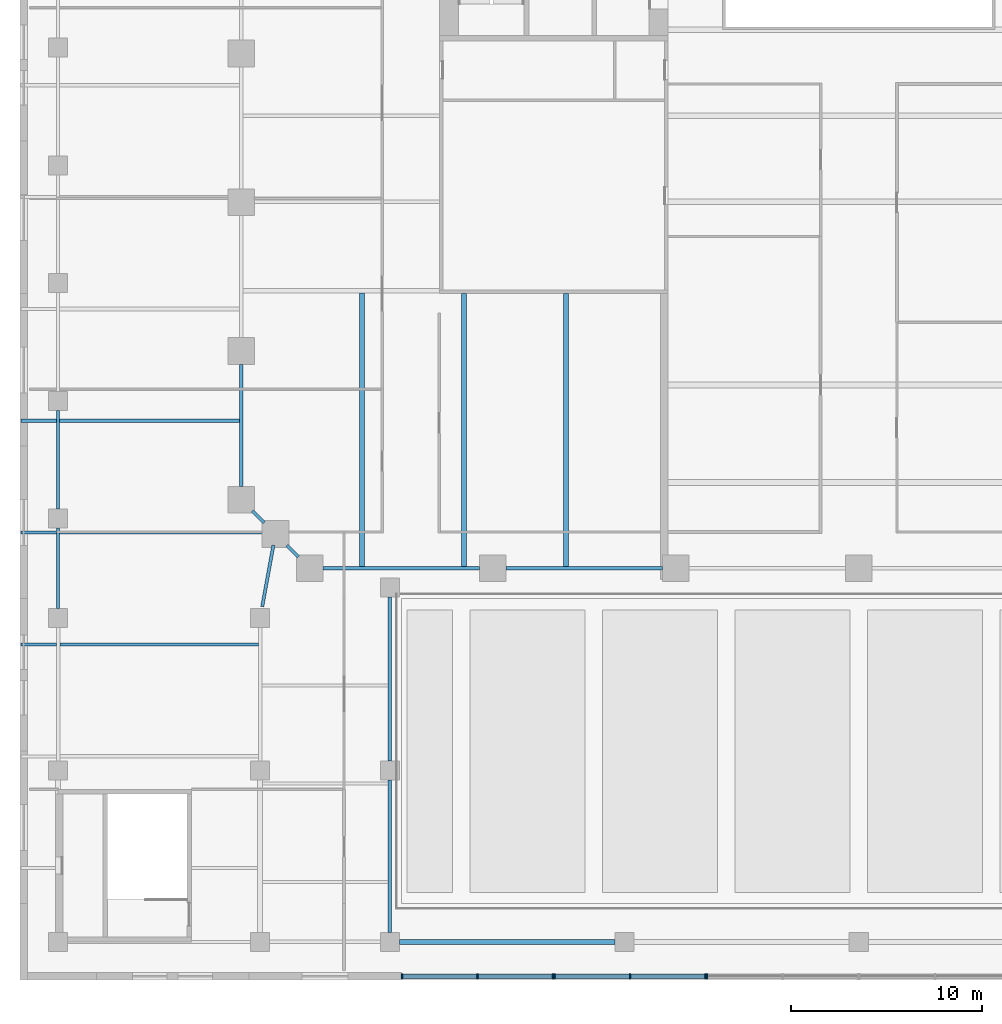
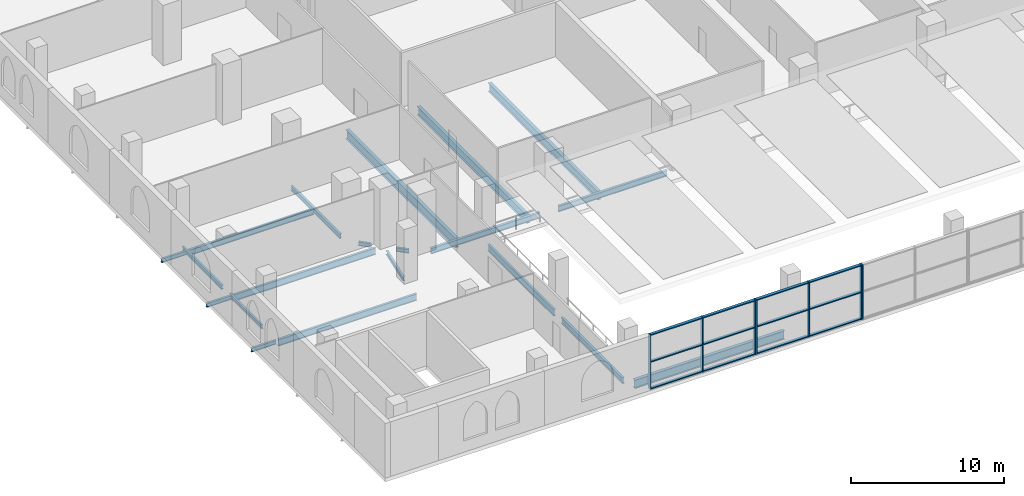
# One storey, part 2 of 18: 20 beams, 19 members, 3 elements without a shape of their own.
"""IFC4 building model written with IfcOpenShell, lengths in metres."""

from ifc_helpers import new_model, si_unit, direction, frame, origin, origin_2d, place, context, subcontext, project, spatial, rectangle, i_section, extrude, material, material_profile, profile_set, type_object, element, aggregate, save


model = new_model("IFC4")

# Units and contexts
model_context = context("Model", 3, precision=1e-05, world=origin(), true_north=direction((0.0, 1.0)))
body_context = subcontext(model_context, "Body", "Model", "MODEL_VIEW")
ifc_project = project(units=[si_unit("LENGTHUNIT", "METRE"), si_unit("AREAUNIT", "SQUARE_METRE"), si_unit("VOLUMEUNIT", "CUBIC_METRE"), si_unit("PLANEANGLEUNIT", "RADIAN"), si_unit("MASSUNIT", "GRAM", prefix="KILO")], contexts=[model_context])

# Site, building, storey
site_placement = place(None, origin())
site = spatial("IfcSite", under=ifc_project, at=site_placement, CompositionType="ELEMENT")
building_placement = place(site_placement, origin())
building = spatial("IfcBuilding", under=site, at=building_placement, Name="Ogive Exchange Tower", CompositionType="ELEMENT")
storey_placement = place(building_placement, frame((0.0, 0.0, 28.800048828125)))
storey = spatial("IfcBuildingStorey", under=building, at=storey_placement, Name="L05", CompositionType="ELEMENT", Elevation=28.800048828125)

# Beams
ifc_material_1 = material(Name="Steel ASTM A992 Gr50", Category="steel")
ifc_material_profile_1 = material_profile(ifc_material_1, i_section(OverallWidth=0.1650390625, OverallDepth=0.31005859375, WebThickness=0.005859375, FlangeThickness=0.009765625, at=origin_2d()), Name="W310x38.7")
ifc_profile_set_1 = profile_set([ifc_material_profile_1], Name="Steel ASTM A992 Gr50")
beam_type_1 = type_object("IfcBeamType", Name="Floor beam W310x38.7", PredefinedType="JOIST", material=ifc_profile_set_1)
beam_1_placement = place(storey_placement, frame((-43.949951171875, -34.39990234375, -0.455078125), z_axis=(1.0, 0.0, 0.0), x_axis=(0.0, 1.0, 0.0)))
element("IfcBeam", 1, at=beam_1_placement, inside=storey, type_object=beam_type_1, Name="Floor beam", PredefinedType="JOIST", context=body_context, shape_type="SweptSolid", body=[
    extrude(i_section(OverallWidth=0.1650390625, OverallDepth=0.31005859375, WebThickness=0.005859375, FlangeThickness=0.009765625, at=origin_2d()), origin(), (0.0, 0.0, 1.0), 1.86083984375),
])
for number, where, z_axis, x_axis, name in (
    (2, (-43.949951171875, -28.533203125, -0.455078125), (1.0, 0.0, 0.0), (0.0, 1.0, 0.0), "Floor beam"),
    (3, (-43.949951171875, -22.666748046875, -0.455078125), (1.0, 0.0, 0.0), (0.0, 1.0, 0.0), "Floor beam"),
):
    element("IfcBeam", number, at=place(storey_placement, frame(where, z_axis=z_axis, x_axis=x_axis)), inside=storey, type_object=beam_type_1, Name=name, PredefinedType="JOIST", context=body_context, shape_type="SweptSolid", body=[
        extrude(i_section(OverallWidth=0.1650390625, OverallDepth=0.31005859375, WebThickness=0.005859375, FlangeThickness=0.009765625, at=origin_2d()), origin(), (0.0, 0.0, 1.0), 1.867431640625),
    ])
ifc_material_profile_2 = material_profile(ifc_material_1, i_section(OverallWidth=0.19091796875, OverallDepth=0.45703125, WebThickness=0.009033203125, FlangeThickness=0.014404296875, at=origin_2d()), Name="W460x74")
ifc_profile_set_2 = profile_set([ifc_material_profile_2], Name="Steel ASTM A992 Gr50")
beam_type_2 = type_object("IfcBeamType", Name="Floor beam W460x74", PredefinedType="JOIST", material=ifc_profile_set_2)
beam_2_placement = place(storey_placement, frame((-41.91748046875, -22.666748046875, -0.528564453125), z_axis=(1.0, 0.0, 0.0), x_axis=(0.0, 1.0, 0.0)))
element("IfcBeam", 4, at=beam_2_placement, inside=storey, type_object=beam_type_2, Name="Floor beam", PredefinedType="JOIST", context=body_context, shape_type="SweptSolid", body=[
    extrude(i_section(OverallWidth=0.19091796875, OverallDepth=0.45703125, WebThickness=0.009033203125, FlangeThickness=0.014404296875, at=origin_2d()), origin(), (0.0, 0.0, 1.0), 9.431884765625),
])
ifc_material_profile_3 = material_profile(ifc_material_1, i_section(OverallWidth=0.1669921875, OverallDepth=0.535888671875, WebThickness=0.01025390625, FlangeThickness=0.0166015625, at=origin_2d()), Name="W530x85")
ifc_profile_set_3 = profile_set([ifc_material_profile_3], Name="Steel ASTM A992 Gr50")
beam_type_3 = type_object("IfcBeamType", Name="Floor beam W530x85", PredefinedType="JOIST", material=ifc_profile_set_3)
beam_3_placement = place(storey_placement, frame((-41.910888671875, -34.39990234375, -0.568115234375), z_axis=(1.0, 0.0, 0.0), x_axis=(0.0, 1.0, 0.0)))
element("IfcBeam", 5, at=beam_3_placement, inside=storey, type_object=beam_type_3, Name="Floor beam", PredefinedType="JOIST", context=body_context, shape_type="SweptSolid", body=[
    extrude(i_section(OverallWidth=0.1669921875, OverallDepth=0.535888671875, WebThickness=0.01025390625, FlangeThickness=0.0166015625, at=origin_2d()), origin(), (0.0, 0.0, 1.0), 10.421875),
])
beam_4_placement = place(storey_placement, frame((-41.91748046875, -28.533203125, -0.568115234375), z_axis=(1.0, 0.0, 0.0), x_axis=(0.0, 1.0, 0.0)))
element("IfcBeam", 6, at=beam_4_placement, inside=storey, type_object=beam_type_3, Name="Floor beam", PredefinedType="JOIST", context=body_context, shape_type="SweptSolid", body=[
    extrude(i_section(OverallWidth=0.1669921875, OverallDepth=0.535888671875, WebThickness=0.01025390625, FlangeThickness=0.0166015625, at=origin_2d()), origin(), (0.0, 0.0, 1.0), 10.717529296875),
])
ifc_material_profile_4 = material_profile(ifc_material_1, i_section(OverallWidth=0.25390625, OverallDepth=0.68310546875, WebThickness=0.012451171875, FlangeThickness=0.018798828125, at=origin_2d()), Name="W690x140")
ifc_profile_set_4 = profile_set([ifc_material_profile_4], Name="Steel ASTM A992 Gr50")
beam_type_4 = type_object("IfcBeamType", Name="Floor beam W690x140", PredefinedType="JOIST", material=ifc_profile_set_4)
for number, where, z_axis, x_axis, name in (
    (7, (-20.699951171875, -30.304443359375, -0.6416015625), (0.0, 1.0, 0.0), (-1.0, 0.0, 0.0), "Floor beam"),
    (8, (-15.35009765625, -30.304443359375, -0.6416015625), (0.0, 1.0, 0.0), (-1.0, 0.0, 0.0), "Floor beam"),
):
    element("IfcBeam", number, at=place(storey_placement, frame(where, z_axis=z_axis, x_axis=x_axis)), inside=storey, type_object=beam_type_4, Name=name, PredefinedType="JOIST", context=body_context, shape_type="SweptSolid", body=[
        extrude(i_section(OverallWidth=0.25390625, OverallDepth=0.68310546875, WebThickness=0.012451171875, FlangeThickness=0.018798828125, at=origin_2d()), origin(), (0.0, 0.0, 1.0), 14.304443359375),
    ])
ifc_material_profile_5 = material_profile(ifc_material_1, i_section(OverallWidth=0.26708984375, OverallDepth=0.75390625, WebThickness=0.01318359375, FlangeThickness=0.01708984375, at=origin_2d()), Name="W760x147")
ifc_profile_set_5 = profile_set([ifc_material_profile_5], Name="Steel ASTM A992 Gr50")
beam_type_5 = type_object("IfcBeamType", Name="Floor beam W760x147", PredefinedType="JOIST", material=ifc_profile_set_5)
beam_5_placement = place(storey_placement, frame((-26.050048828125, -30.304443359375, -0.677001953125), z_axis=(0.0, 1.0, 0.0), x_axis=(-1.0, 0.0, 0.0)))
element("IfcBeam", 9, at=beam_5_placement, inside=storey, type_object=beam_type_5, Name="Floor beam", PredefinedType="JOIST", context=body_context, shape_type="SweptSolid", body=[
    extrude(i_section(OverallWidth=0.26708984375, OverallDepth=0.75390625, WebThickness=0.01318359375, FlangeThickness=0.01708984375, at=origin_2d()), origin(), (0.0, 0.0, 1.0), 14.345458984375),
])

# Curtain wall, members
ifc_material_2 = material(Name="Anodised aluminium and clear glass", Category="aluminium")
curtain_wall_type = type_object("IfcCurtainWallType", Name="Galleria end wall glazing", PredefinedType="NOTDEFINED", material=ifc_material_2)
curtain_wall_1_placement = place(storey_placement, origin())
curtain_wall_1 = element("IfcCurtainWall", 10, at=curtain_wall_1_placement, inside=storey, type_object=curtain_wall_type, Name="Galleria end wall glazing run GE4", PredefinedType="NOTDEFINED")
ifc_material_3 = material(Name="Anodised aluminium", Category="aluminium")
ifc_material_profile_6 = material_profile(ifc_material_3, rectangle(XDim=0.260009765625, YDim=0.080078125, at=origin_2d()), Name="AL 80x260")
ifc_profile_set_6 = profile_set([ifc_material_profile_6], Name="Anodised aluminium")
member_type_1 = type_object("IfcMemberType", Name="Galleria end wall glazing mullion 80 x 260", PredefinedType="MULLION", material=ifc_profile_set_6)
member_1_placement = place(storey_placement, frame((-23.9599609375, -51.800048828125, 0.0), z_axis=(0.0, 0.0, 1.0), x_axis=(0.0, 1.0, 0.0)))
member_1 = element("IfcMember", 11, at=member_1_placement, type_object=member_type_1, Name="GE4 mullion 1", PredefinedType="MULLION", context=body_context, shape_type="SweptSolid", body=[
    extrude(rectangle(XDim=0.260009765625, YDim=0.080078125, at=origin_2d()), origin(), (0.0, 0.0, 1.0), 4.349853515625),
])
member_2_placement = place(storey_placement, frame((-20.0, -51.800048828125, 0.0), z_axis=(0.0, 0.0, 1.0), x_axis=(0.0, 1.0, 0.0)))
member_2 = element("IfcMember", 12, at=member_2_placement, type_object=member_type_1, Name="GE4 mullion 2", PredefinedType="MULLION", context=body_context, shape_type="SweptSolid", body=[
    extrude(rectangle(XDim=0.260009765625, YDim=0.080078125, at=origin_2d()), origin(), (0.0, 0.0, 1.0), 4.349853515625),
])
member_3_placement = place(storey_placement, frame((-16.0400390625, -51.800048828125, 0.0), z_axis=(0.0, 0.0, 1.0), x_axis=(0.0, 1.0, 0.0)))
member_3 = element("IfcMember", 13, at=member_3_placement, type_object=member_type_1, Name="GE4 mullion 3", PredefinedType="MULLION", context=body_context, shape_type="SweptSolid", body=[
    extrude(rectangle(XDim=0.260009765625, YDim=0.080078125, at=origin_2d()), origin(), (0.0, 0.0, 1.0), 4.349853515625),
])

curtain_wall_2_placement = place(storey_placement, origin())
curtain_wall_2 = element("IfcCurtainWall", 14, at=curtain_wall_2_placement, inside=storey, type_object=curtain_wall_type, Name="Galleria end wall glazing run GE5", PredefinedType="NOTDEFINED")
member_4_placement = place(storey_placement, frame((-15.9599609375, -51.800048828125, 0.0), z_axis=(0.0, 0.0, 1.0), x_axis=(0.0, 1.0, 0.0)))
member_4 = element("IfcMember", 15, at=member_4_placement, type_object=member_type_1, Name="GE5 mullion 1", PredefinedType="MULLION", context=body_context, shape_type="SweptSolid", body=[
    extrude(rectangle(XDim=0.260009765625, YDim=0.080078125, at=origin_2d()), origin(), (0.0, 0.0, 1.0), 4.349853515625),
])
member_5_placement = place(storey_placement, frame((-12.0, -51.800048828125, 0.0), z_axis=(0.0, 0.0, 1.0), x_axis=(0.0, 1.0, 0.0)))
member_5 = element("IfcMember", 16, at=member_5_placement, type_object=member_type_1, Name="GE5 mullion 2", PredefinedType="MULLION", context=body_context, shape_type="SweptSolid", body=[
    extrude(rectangle(XDim=0.260009765625, YDim=0.080078125, at=origin_2d()), origin(), (0.0, 0.0, 1.0), 4.349853515625),
])
member_6_placement = place(storey_placement, frame((-8.0400390625, -51.800048828125, 0.0), z_axis=(0.0, 0.0, 1.0), x_axis=(0.0, 1.0, 0.0)))
member_6 = element("IfcMember", 17, at=member_6_placement, type_object=member_type_1, Name="GE5 mullion 3", PredefinedType="MULLION", context=body_context, shape_type="SweptSolid", body=[
    extrude(rectangle(XDim=0.260009765625, YDim=0.080078125, at=origin_2d()), origin(), (0.0, 0.0, 1.0), 4.349853515625),
])

# Curtain wall, member
curtain_wall_3_placement = place(storey_placement, origin())
curtain_wall_3 = element("IfcCurtainWall", 18, at=curtain_wall_3_placement, inside=storey, type_object=curtain_wall_type, Name="Galleria end wall glazing run GE6", PredefinedType="NOTDEFINED")
member_7_placement = place(storey_placement, frame((-7.9599609375, -51.800048828125, 0.0), z_axis=(0.0, 0.0, 1.0), x_axis=(0.0, 1.0, 0.0)))
member_7 = element("IfcMember", 19, at=member_7_placement, type_object=member_type_1, Name="GE6 mullion 1", PredefinedType="MULLION", context=body_context, shape_type="SweptSolid", body=[
    extrude(rectangle(XDim=0.260009765625, YDim=0.080078125, at=origin_2d()), origin(), (0.0, 0.0, 1.0), 4.349853515625),
])
aggregate(curtain_wall_3, [member_7])

# Member
ifc_material_profile_7 = material_profile(ifc_material_3, rectangle(XDim=0.219970703125, YDim=0.080078125, at=origin_2d()), Name="AL 80x220")
ifc_profile_set_7 = profile_set([ifc_material_profile_7], Name="Anodised aluminium")
member_type_2 = type_object("IfcMemberType", Name="Galleria end wall glazing transom 80 x 220", PredefinedType="USERDEFINED", material=ifc_profile_set_7)
member_8_placement = place(storey_placement, frame((-23.919921875, -51.800048828125, 0.0400390625), z_axis=(1.0, 0.0, 0.0), x_axis=(0.0, 1.0, 0.0)))
member_8 = element("IfcMember", 20, at=member_8_placement, type_object=member_type_2, Name="GE4 transom 1.1", ObjectType="TRANSOM", PredefinedType="USERDEFINED", context=body_context, shape_type="SweptSolid", body=[
    extrude(rectangle(XDim=0.219970703125, YDim=0.080078125, at=origin_2d()), origin(), (0.0, 0.0, 1.0), 3.8798828125),
])

member_9_placement = place(storey_placement, frame((-23.919921875, -51.800048828125, 2.175048828125), z_axis=(1.0, 0.0, 0.0), x_axis=(0.0, 1.0, 0.0)))
member_9 = element("IfcMember", 21, at=member_9_placement, type_object=member_type_2, Name="GE4 transom 1.2", ObjectType="TRANSOM", PredefinedType="USERDEFINED", context=body_context, shape_type="SweptSolid", body=[
    extrude(rectangle(XDim=0.219970703125, YDim=0.080078125, at=origin_2d()), origin(), (0.0, 0.0, 1.0), 3.8798828125),
])

member_10_placement = place(storey_placement, frame((-23.919921875, -51.800048828125, 4.31005859375), z_axis=(1.0, 0.0, 0.0), x_axis=(0.0, 1.0, 0.0)))
member_10 = element("IfcMember", 22, at=member_10_placement, type_object=member_type_2, Name="GE4 transom 1.3", ObjectType="TRANSOM", PredefinedType="USERDEFINED", context=body_context, shape_type="SweptSolid", body=[
    extrude(rectangle(XDim=0.219970703125, YDim=0.080078125, at=origin_2d()), origin(), (0.0, 0.0, 1.0), 3.8798828125),
])

member_11_placement = place(storey_placement, frame((-19.9599609375, -51.800048828125, 0.0400390625), z_axis=(1.0, 0.0, 0.0), x_axis=(0.0, 1.0, 0.0)))
member_11 = element("IfcMember", 23, at=member_11_placement, type_object=member_type_2, Name="GE4 transom 2.1", ObjectType="TRANSOM", PredefinedType="USERDEFINED", context=body_context, shape_type="SweptSolid", body=[
    extrude(rectangle(XDim=0.219970703125, YDim=0.080078125, at=origin_2d()), origin(), (0.0, 0.0, 1.0), 3.8798828125),
])

member_12_placement = place(storey_placement, frame((-19.9599609375, -51.800048828125, 2.175048828125), z_axis=(1.0, 0.0, 0.0), x_axis=(0.0, 1.0, 0.0)))
member_12 = element("IfcMember", 24, at=member_12_placement, type_object=member_type_2, Name="GE4 transom 2.2", ObjectType="TRANSOM", PredefinedType="USERDEFINED", context=body_context, shape_type="SweptSolid", body=[
    extrude(rectangle(XDim=0.219970703125, YDim=0.080078125, at=origin_2d()), origin(), (0.0, 0.0, 1.0), 3.8798828125),
])

member_13_placement = place(storey_placement, frame((-19.9599609375, -51.800048828125, 4.31005859375), z_axis=(1.0, 0.0, 0.0), x_axis=(0.0, 1.0, 0.0)))
member_13 = element("IfcMember", 25, at=member_13_placement, type_object=member_type_2, Name="GE4 transom 2.3", ObjectType="TRANSOM", PredefinedType="USERDEFINED", context=body_context, shape_type="SweptSolid", body=[
    extrude(rectangle(XDim=0.219970703125, YDim=0.080078125, at=origin_2d()), origin(), (0.0, 0.0, 1.0), 3.8798828125),
])

aggregate(curtain_wall_1, [member_1, member_2, member_3, member_8, member_9, member_10, member_11, member_12, member_13])

member_14_placement = place(storey_placement, frame((-15.919921875, -51.800048828125, 0.0400390625), z_axis=(1.0, 0.0, 0.0), x_axis=(0.0, 1.0, 0.0)))
member_14 = element("IfcMember", 26, at=member_14_placement, type_object=member_type_2, Name="GE5 transom 1.1", ObjectType="TRANSOM", PredefinedType="USERDEFINED", context=body_context, shape_type="SweptSolid", body=[
    extrude(rectangle(XDim=0.219970703125, YDim=0.080078125, at=origin_2d()), origin(), (0.0, 0.0, 1.0), 3.8798828125),
])

member_15_placement = place(storey_placement, frame((-15.919921875, -51.800048828125, 2.175048828125), z_axis=(1.0, 0.0, 0.0), x_axis=(0.0, 1.0, 0.0)))
member_15 = element("IfcMember", 27, at=member_15_placement, type_object=member_type_2, Name="GE5 transom 1.2", ObjectType="TRANSOM", PredefinedType="USERDEFINED", context=body_context, shape_type="SweptSolid", body=[
    extrude(rectangle(XDim=0.219970703125, YDim=0.080078125, at=origin_2d()), origin(), (0.0, 0.0, 1.0), 3.8798828125),
])

member_16_placement = place(storey_placement, frame((-15.919921875, -51.800048828125, 4.31005859375), z_axis=(1.0, 0.0, 0.0), x_axis=(0.0, 1.0, 0.0)))
member_16 = element("IfcMember", 28, at=member_16_placement, type_object=member_type_2, Name="GE5 transom 1.3", ObjectType="TRANSOM", PredefinedType="USERDEFINED", context=body_context, shape_type="SweptSolid", body=[
    extrude(rectangle(XDim=0.219970703125, YDim=0.080078125, at=origin_2d()), origin(), (0.0, 0.0, 1.0), 3.8798828125),
])

member_17_placement = place(storey_placement, frame((-11.9599609375, -51.800048828125, 0.0400390625), z_axis=(1.0, 0.0, 0.0), x_axis=(0.0, 1.0, 0.0)))
member_17 = element("IfcMember", 29, at=member_17_placement, type_object=member_type_2, Name="GE5 transom 2.1", ObjectType="TRANSOM", PredefinedType="USERDEFINED", context=body_context, shape_type="SweptSolid", body=[
    extrude(rectangle(XDim=0.219970703125, YDim=0.080078125, at=origin_2d()), origin(), (0.0, 0.0, 1.0), 3.8798828125),
])

member_18_placement = place(storey_placement, frame((-11.9599609375, -51.800048828125, 2.175048828125), z_axis=(1.0, 0.0, 0.0), x_axis=(0.0, 1.0, 0.0)))
member_18 = element("IfcMember", 30, at=member_18_placement, type_object=member_type_2, Name="GE5 transom 2.2", ObjectType="TRANSOM", PredefinedType="USERDEFINED", context=body_context, shape_type="SweptSolid", body=[
    extrude(rectangle(XDim=0.219970703125, YDim=0.080078125, at=origin_2d()), origin(), (0.0, 0.0, 1.0), 3.8798828125),
])

member_19_placement = place(storey_placement, frame((-11.9599609375, -51.800048828125, 4.31005859375), z_axis=(1.0, 0.0, 0.0), x_axis=(0.0, 1.0, 0.0)))
member_19 = element("IfcMember", 31, at=member_19_placement, type_object=member_type_2, Name="GE5 transom 2.3", ObjectType="TRANSOM", PredefinedType="USERDEFINED", context=body_context, shape_type="SweptSolid", body=[
    extrude(rectangle(XDim=0.219970703125, YDim=0.080078125, at=origin_2d()), origin(), (0.0, 0.0, 1.0), 3.8798828125),
])

aggregate(curtain_wall_2, [member_4, member_5, member_6, member_14, member_15, member_16, member_17, member_18, member_19])

# Beams
ifc_material_profile_8 = material_profile(ifc_material_1, i_section(OverallWidth=0.1650390625, OverallDepth=0.31005859375, WebThickness=0.005859375, FlangeThickness=0.009765625, at=origin_2d()), Name="W310x38.7")
ifc_profile_set_8 = profile_set([ifc_material_profile_8], Name="Steel ASTM A992 Gr50")
beam_type_6 = type_object("IfcBeamType", Name="Girder W310x38.7", PredefinedType="BEAM", material=ifc_profile_set_8)
for number, where, z_axis, x_axis, name in (
    (32, (-31.805908203125, -27.39404296875, -0.455078125), (0.706965712506, -0.707247821729, 0.0), (0.707247821729, 0.706965712506, 0.0), "Girder"),
    (33, (-30.006103515625, -29.194091796875, -0.455078125), (0.707247821729, -0.706965712506, 0.0), (0.706965712506, 0.707247821729, 0.0), "Girder"),
):
    element("IfcBeam", number, at=place(storey_placement, frame(where, z_axis=z_axis, x_axis=x_axis)), inside=storey, type_object=beam_type_6, Name=name, PredefinedType="BEAM", context=body_context, shape_type="SweptSolid", body=[
        extrude(i_section(OverallWidth=0.1650390625, OverallDepth=0.31005859375, WebThickness=0.005859375, FlangeThickness=0.009765625, at=origin_2d()), origin(), (0.0, 0.0, 1.0), 0.865478515625),
    ])
beam_6_placement = place(storey_placement, frame((-31.292724609375, -32.40966796875, -0.455078125), z_axis=(0.178911700404, 0.983865134792, 0.0), x_axis=(-0.983865134792, 0.178911700404, 0.0)))
element("IfcBeam", 34, at=beam_6_placement, inside=storey, type_object=beam_type_6, Name="Girder", PredefinedType="BEAM", context=body_context, shape_type="SweptSolid", body=[
    extrude(i_section(OverallWidth=0.1650390625, OverallDepth=0.31005859375, WebThickness=0.005859375, FlangeThickness=0.009765625, at=origin_2d()), origin(), (0.0, 0.0, 1.0), 3.272216796875),
])
beam_7_placement = place(storey_placement, frame((-42.0, -32.5, -0.455078125), z_axis=(0.0, 1.0, 0.0), x_axis=(-1.0, 0.0, 0.0)))
element("IfcBeam", 35, at=beam_7_placement, inside=storey, type_object=beam_type_6, Name="Girder", PredefinedType="BEAM", context=body_context, shape_type="SweptSolid", body=[
    extrude(i_section(OverallWidth=0.1650390625, OverallDepth=0.31005859375, WebThickness=0.005859375, FlangeThickness=0.009765625, at=origin_2d()), origin(), (0.0, 0.0, 1.0), 4.199951171875),
])
beam_8_placement = place(storey_placement, frame((-42.0, -27.300048828125, -0.455078125), z_axis=(0.0, 1.0, 0.0), x_axis=(-1.0, 0.0, 0.0)))
element("IfcBeam", 36, at=beam_8_placement, inside=storey, type_object=beam_type_6, Name="Girder", PredefinedType="BEAM", context=body_context, shape_type="SweptSolid", body=[
    extrude(i_section(OverallWidth=0.1650390625, OverallDepth=0.31005859375, WebThickness=0.005859375, FlangeThickness=0.009765625, at=origin_2d()), origin(), (0.0, 0.0, 1.0), 5.179931640625),
])
ifc_material_profile_9 = material_profile(ifc_material_1, i_section(OverallWidth=0.1708984375, OverallDepth=0.35595703125, WebThickness=0.00732421875, FlangeThickness=0.01171875, at=origin_2d()), Name="W360x51")
ifc_profile_set_9 = profile_set([ifc_material_profile_9], Name="Steel ASTM A992 Gr50")
beam_type_7 = type_object("IfcBeamType", Name="Girder W360x51", PredefinedType="BEAM", material=ifc_profile_set_9)
beam_9_placement = place(storey_placement, frame((-32.39990234375, -19.699951171875, -0.47802734375), z_axis=(0.0, -1.0, 0.0), x_axis=(1.0, 0.0, 0.0)))
element("IfcBeam", 37, at=beam_9_placement, inside=storey, type_object=beam_type_7, Name="Girder", PredefinedType="BEAM", context=body_context, shape_type="SweptSolid", body=[
    extrude(i_section(OverallWidth=0.1708984375, OverallDepth=0.35595703125, WebThickness=0.00732421875, FlangeThickness=0.01171875, at=origin_2d()), origin(), (0.0, 0.0, 1.0), 6.400146484375),
])
ifc_material_profile_10 = material_profile(ifc_material_1, i_section(OverallWidth=0.19091796875, OverallDepth=0.45703125, WebThickness=0.009033203125, FlangeThickness=0.014404296875, at=origin_2d()), Name="W460x74")
ifc_profile_set_10 = profile_set([ifc_material_profile_10], Name="Steel ASTM A992 Gr50")
beam_type_8 = type_object("IfcBeamType", Name="Girder W460x74", PredefinedType="BEAM", material=ifc_profile_set_10)
beam_10_placement = place(storey_placement, frame((-28.10009765625, -30.39990234375, -0.528564453125), z_axis=(1.0, 0.0, 0.0), x_axis=(0.0, 1.0, 0.0)))
element("IfcBeam", 38, at=beam_10_placement, inside=storey, type_object=beam_type_8, Name="Girder", PredefinedType="BEAM", context=body_context, shape_type="SweptSolid", body=[
    extrude(i_section(OverallWidth=0.19091796875, OverallDepth=0.45703125, WebThickness=0.009033203125, FlangeThickness=0.014404296875, at=origin_2d()), origin(), (0.0, 0.0, 1.0), 8.2001953125),
])
beam_11_placement = place(storey_placement, frame((-18.5, -30.39990234375, -0.528564453125), z_axis=(1.0, 0.0, 0.0), x_axis=(0.0, 1.0, 0.0)))
element("IfcBeam", 39, at=beam_11_placement, inside=storey, type_object=beam_type_8, Name="Girder", PredefinedType="BEAM", context=body_context, shape_type="SweptSolid", body=[
    extrude(i_section(OverallWidth=0.19091796875, OverallDepth=0.45703125, WebThickness=0.009033203125, FlangeThickness=0.014404296875, at=origin_2d()), origin(), (0.0, 0.0, 1.0), 8.199951171875),
])
beam_12_placement = place(storey_placement, frame((-24.60009765625, -49.5, -0.528564453125), z_axis=(0.0, 1.0, 0.0), x_axis=(-1.0, 0.0, 0.0)))
element("IfcBeam", 40, at=beam_12_placement, inside=storey, type_object=beam_type_8, Name="Girder", PredefinedType="BEAM", context=body_context, shape_type="SweptSolid", body=[
    extrude(i_section(OverallWidth=0.19091796875, OverallDepth=0.45703125, WebThickness=0.009033203125, FlangeThickness=0.014404296875, at=origin_2d()), origin(), (0.0, 0.0, 1.0), 8.0),
])
ifc_material_profile_11 = material_profile(ifc_material_1, i_section(OverallWidth=0.1669921875, OverallDepth=0.535888671875, WebThickness=0.01025390625, FlangeThickness=0.0166015625, at=origin_2d()), Name="W530x85")
ifc_profile_set_11 = profile_set([ifc_material_profile_11], Name="Steel ASTM A992 Gr50")
beam_type_9 = type_object("IfcBeamType", Name="Girder W530x85", PredefinedType="BEAM", material=ifc_profile_set_11)
beam_13_placement = place(storey_placement, frame((-24.60009765625, -40.5, -0.568115234375), z_axis=(0.0, 1.0, 0.0), x_axis=(-1.0, 0.0, 0.0)))
element("IfcBeam", 41, at=beam_13_placement, inside=storey, type_object=beam_type_9, Name="Girder", PredefinedType="BEAM", context=body_context, shape_type="SweptSolid", body=[
    extrude(i_section(OverallWidth=0.1669921875, OverallDepth=0.535888671875, WebThickness=0.01025390625, FlangeThickness=0.0166015625, at=origin_2d()), origin(), (0.0, 0.0, 1.0), 8.60009765625),
])
ifc_material_profile_12 = material_profile(ifc_material_1, i_section(OverallWidth=0.25390625, OverallDepth=0.677978515625, WebThickness=0.01171875, FlangeThickness=0.016357421875, at=origin_2d()), Name="W690x125")
ifc_profile_set_12 = profile_set([ifc_material_profile_12], Name="Steel ASTM A992 Gr50")
beam_type_10 = type_object("IfcBeamType", Name="Girder W690x125", PredefinedType="BEAM", material=ifc_profile_set_12)
beam_14_placement = place(storey_placement, frame((-24.10009765625, -50.0, -0.63916015625), z_axis=(1.0, 0.0, 0.0), x_axis=(0.0, 1.0, 0.0)))
element("IfcBeam", 42, at=beam_14_placement, inside=storey, type_object=beam_type_10, Name="Girder", PredefinedType="BEAM", context=body_context, shape_type="SweptSolid", body=[
    extrude(i_section(OverallWidth=0.25390625, OverallDepth=0.677978515625, WebThickness=0.01171875, FlangeThickness=0.016357421875, at=origin_2d()), origin(), (0.0, 0.0, 1.0), 11.300048828125),
])

save(model, "model.ifc")
